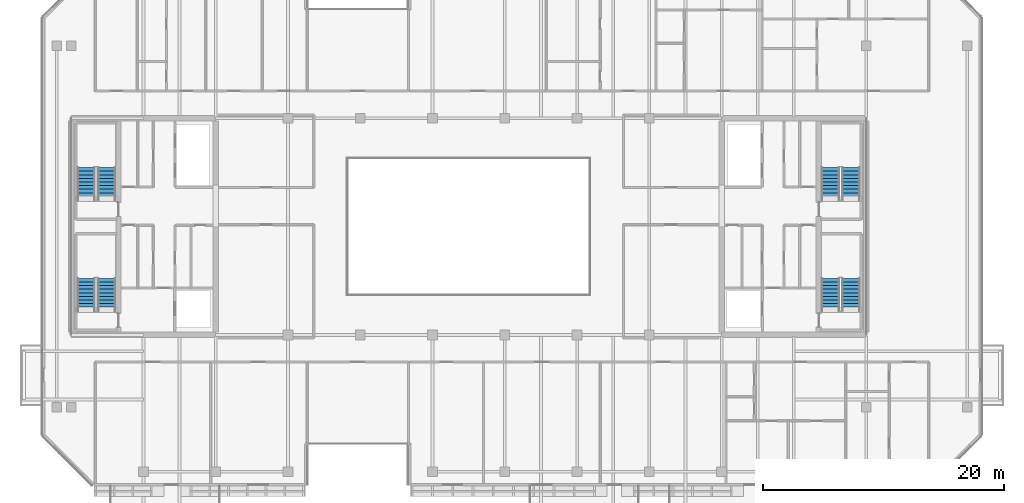
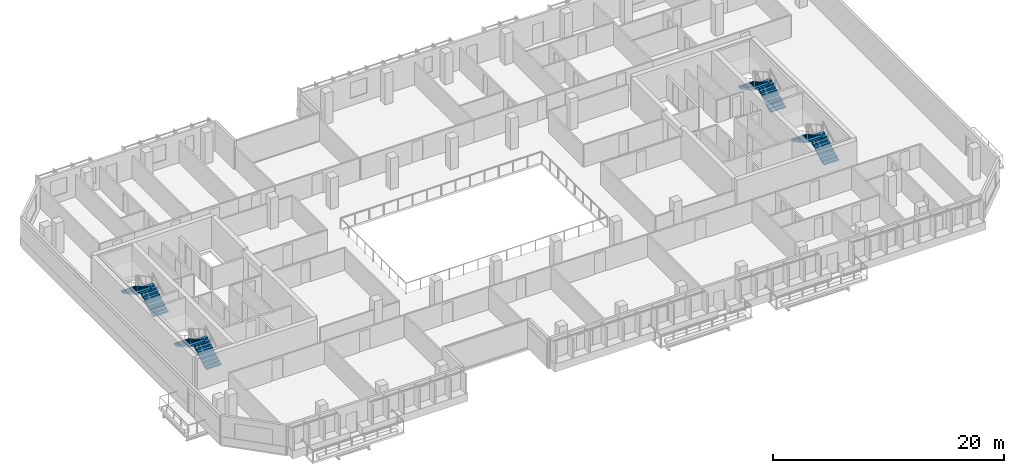
# One storey, part 16 of 22: 8 stair flights, 4 elements without a shape of their own.
"""IFC4 building model written with IfcOpenShell, lengths in metres."""

from ifc_helpers import new_model, si_unit, direction, frame, origin, place, context, subcontext, project, spatial, polyline, outline, extrude, material, type_object, element, aggregate, save


model = new_model("IFC4")

# Units and contexts
model_context = context("Model", 3, precision=1e-05, world=origin(), true_north=direction((0.0, 1.0)))
body_context = subcontext(model_context, "Body", "Model", "MODEL_VIEW")
ifc_project = project(units=[si_unit("LENGTHUNIT", "METRE"), si_unit("AREAUNIT", "SQUARE_METRE"), si_unit("VOLUMEUNIT", "CUBIC_METRE"), si_unit("PLANEANGLEUNIT", "RADIAN"), si_unit("MASSUNIT", "GRAM", prefix="KILO")], contexts=[model_context])

# Site, building, storey
site_placement = place(None, origin())
site = spatial("IfcSite", under=ifc_project, at=site_placement, CompositionType="ELEMENT")
building_placement = place(site_placement, origin())
building = spatial("IfcBuilding", under=site, at=building_placement, Name="Tanjung Sevakor Pilgrim Tower", CompositionType="ELEMENT")
storey_placement = place(building_placement, frame((0.0, 0.0, 195.030029296875)))
storey = spatial("IfcBuildingStorey", under=building, at=storey_placement, Name="L54", CompositionType="ELEMENT", Elevation=195.030029296875)

# Stair, stair flights
ifc_material_1 = material(Name="Concrete C40/50", Category="concrete")
stair_type = type_object("IfcStairType", Name="STAIR-ST-CR150", PredefinedType="HALF_TURN_STAIR", material=ifc_material_1)
stair_1_placement = place(storey_placement, origin())
stair_1 = element("IfcStair", 1, at=stair_1_placement, inside=storey, type_object=stair_type, Name="L54 West Core Exit Stair 1", PredefinedType="HALF_TURN_STAIR")
ifc_material_2 = material(Name="Concrete C40/50", Category="concrete")
stair_flight_type = type_object("IfcStairFlightType", Name="FLIGHT-ST-CR150", PredefinedType="STRAIGHT", material=ifc_material_2)
stair_flight_1_placement = place(storey_placement, frame((26.949951171875, 26.60009765625, 0.0), z_axis=(0.0, 0.0, 1.0), x_axis=(0.0, 1.0, 0.0)))
stair_flight_1 = element("IfcStairFlight", 2, at=stair_flight_1_placement, type_object=stair_flight_type, Name="TS-W1 flight 1", NumberOfRisers=10, NumberOfTreads=9, PredefinedType="STRAIGHT", RiserHeight=0.165, TreadLength=0.3, context=body_context, shape_type="SweptSolid", body=[
    extrude(outline(polyline([(0.0, 0.0), (0.0, 0.1650390625), (0.300048828125, 0.1650390625), (0.300048828125, 0.330078125), (0.60009765625, 0.330078125), (0.60009765625, 0.4951171875), (0.89990234375, 0.4951171875), (0.89990234375, 0.659912109375), (1.199951171875, 0.659912109375), (1.199951171875, 0.824951171875), (1.5, 0.824951171875), (1.5, 0.989990234375), (1.800048828125, 0.989990234375), (1.800048828125, 1.155029296875), (2.10009765625, 1.155029296875), (2.10009765625, 1.320068359375), (2.39990234375, 1.320068359375), (2.39990234375, 1.485107421875), (2.699951171875, 1.485107421875), (2.699951171875, 1.64990234375), (2.699951171875, 1.302490234375), (0.331787109375, 0.0), (0.0, 0.0)])), frame((0.0, 0.75, 0.0), z_axis=(0.0, -1.0, 0.0), x_axis=(1.0, 0.0, 0.0)), (0.0, 0.0, 1.0), 1.5),
])
stair_flight_2_placement = place(storey_placement, frame((25.25, 29.300048828125, 1.64990234375), z_axis=(0.0, 0.0, 1.0), x_axis=(0.0, -1.0, 0.0)))
stair_flight_2 = element("IfcStairFlight", 3, at=stair_flight_2_placement, type_object=stair_flight_type, Name="TS-W1 flight 2", NumberOfRisers=10, NumberOfTreads=9, PredefinedType="STRAIGHT", RiserHeight=0.165, TreadLength=0.3, context=body_context, shape_type="SweptSolid", body=[
    extrude(outline(polyline([(0.0, 0.0), (0.0, 0.1650390625), (0.300048828125, 0.1650390625), (0.300048828125, 0.330078125), (0.60009765625, 0.330078125), (0.60009765625, 0.4951171875), (0.89990234375, 0.4951171875), (0.89990234375, 0.659912109375), (1.199951171875, 0.659912109375), (1.199951171875, 0.824951171875), (1.5, 0.824951171875), (1.5, 0.989990234375), (1.800048828125, 0.989990234375), (1.800048828125, 1.155029296875), (2.10009765625, 1.155029296875), (2.10009765625, 1.320068359375), (2.39990234375, 1.320068359375), (2.39990234375, 1.485107421875), (2.699951171875, 1.485107421875), (2.699951171875, 1.64990234375), (2.699951171875, 1.302490234375), (0.331787109375, 0.0), (0.0, 0.0)])), frame((0.0, 0.75, 0.0), z_axis=(0.0, -1.0, 0.0), x_axis=(1.0, 0.0, 0.0)), (0.0, 0.0, 1.0), 1.5),
])
aggregate(stair_1, [stair_flight_1, stair_flight_2])

stair_2_placement = place(storey_placement, origin())
stair_2 = element("IfcStair", 4, at=stair_2_placement, inside=storey, type_object=stair_type, Name="L54 West Core Exit Stair 2", PredefinedType="HALF_TURN_STAIR")
stair_flight_3_placement = place(storey_placement, frame((26.949951171875, 35.800048828125, 0.0), z_axis=(0.0, 0.0, 1.0), x_axis=(0.0, 1.0, 0.0)))
stair_flight_3 = element("IfcStairFlight", 5, at=stair_flight_3_placement, type_object=stair_flight_type, Name="TS-W2 flight 1", NumberOfRisers=10, NumberOfTreads=9, PredefinedType="STRAIGHT", RiserHeight=0.165, TreadLength=0.3, context=body_context, shape_type="SweptSolid", body=[
    extrude(outline(polyline([(0.0, 0.0), (0.0, 0.1650390625), (0.300048828125, 0.1650390625), (0.300048828125, 0.330078125), (0.60009765625, 0.330078125), (0.60009765625, 0.4951171875), (0.89990234375, 0.4951171875), (0.89990234375, 0.659912109375), (1.199951171875, 0.659912109375), (1.199951171875, 0.824951171875), (1.5, 0.824951171875), (1.5, 0.989990234375), (1.800048828125, 0.989990234375), (1.800048828125, 1.155029296875), (2.10009765625, 1.155029296875), (2.10009765625, 1.320068359375), (2.39990234375, 1.320068359375), (2.39990234375, 1.485107421875), (2.699951171875, 1.485107421875), (2.699951171875, 1.64990234375), (2.699951171875, 1.302490234375), (0.331787109375, 0.0), (0.0, 0.0)])), frame((0.0, 0.75, 0.0), z_axis=(0.0, -1.0, 0.0), x_axis=(1.0, 0.0, 0.0)), (0.0, 0.0, 1.0), 1.5),
])
stair_flight_4_placement = place(storey_placement, frame((25.25, 38.5, 1.64990234375), z_axis=(0.0, 0.0, 1.0), x_axis=(0.0, -1.0, 0.0)))
stair_flight_4 = element("IfcStairFlight", 6, at=stair_flight_4_placement, type_object=stair_flight_type, Name="TS-W2 flight 2", NumberOfRisers=10, NumberOfTreads=9, PredefinedType="STRAIGHT", RiserHeight=0.165, TreadLength=0.3, context=body_context, shape_type="SweptSolid", body=[
    extrude(outline(polyline([(0.0, 0.0), (0.0, 0.1650390625), (0.300048828125, 0.1650390625), (0.300048828125, 0.330078125), (0.60009765625, 0.330078125), (0.60009765625, 0.4951171875), (0.89990234375, 0.4951171875), (0.89990234375, 0.659912109375), (1.199951171875, 0.659912109375), (1.199951171875, 0.824951171875), (1.5, 0.824951171875), (1.5, 0.989990234375), (1.800048828125, 0.989990234375), (1.800048828125, 1.155029296875), (2.10009765625, 1.155029296875), (2.10009765625, 1.320068359375), (2.39990234375, 1.320068359375), (2.39990234375, 1.485107421875), (2.699951171875, 1.485107421875), (2.699951171875, 1.64990234375), (2.699951171875, 1.302490234375), (0.331787109375, 0.0), (0.0, 0.0)])), frame((0.0, 0.75, 0.0), z_axis=(0.0, -1.0, 0.0), x_axis=(1.0, 0.0, 0.0)), (0.0, 0.0, 1.0), 1.5),
])
aggregate(stair_2, [stair_flight_3, stair_flight_4])

stair_3_placement = place(storey_placement, origin())
stair_3 = element("IfcStair", 7, at=stair_3_placement, inside=storey, type_object=stair_type, Name="L54 East Core Exit Stair 1", PredefinedType="HALF_TURN_STAIR")
stair_flight_5_placement = place(storey_placement, frame((88.75, 26.60009765625, 0.0), z_axis=(0.0, 0.0, 1.0), x_axis=(0.0, 1.0, 0.0)))
stair_flight_5 = element("IfcStairFlight", 8, at=stair_flight_5_placement, type_object=stair_flight_type, Name="TS-E1 flight 1", NumberOfRisers=10, NumberOfTreads=9, PredefinedType="STRAIGHT", RiserHeight=0.165, TreadLength=0.3, context=body_context, shape_type="SweptSolid", body=[
    extrude(outline(polyline([(0.0, 0.0), (0.0, 0.1650390625), (0.300048828125, 0.1650390625), (0.300048828125, 0.330078125), (0.60009765625, 0.330078125), (0.60009765625, 0.4951171875), (0.89990234375, 0.4951171875), (0.89990234375, 0.659912109375), (1.199951171875, 0.659912109375), (1.199951171875, 0.824951171875), (1.5, 0.824951171875), (1.5, 0.989990234375), (1.800048828125, 0.989990234375), (1.800048828125, 1.155029296875), (2.10009765625, 1.155029296875), (2.10009765625, 1.320068359375), (2.39990234375, 1.320068359375), (2.39990234375, 1.485107421875), (2.699951171875, 1.485107421875), (2.699951171875, 1.64990234375), (2.699951171875, 1.302490234375), (0.331787109375, 0.0), (0.0, 0.0)])), frame((0.0, 0.75, 0.0), z_axis=(0.0, -1.0, 0.0), x_axis=(1.0, 0.0, 0.0)), (0.0, 0.0, 1.0), 1.5),
])
stair_flight_6_placement = place(storey_placement, frame((87.050048828125, 29.300048828125, 1.64990234375), z_axis=(0.0, 0.0, 1.0), x_axis=(0.0, -1.0, 0.0)))
stair_flight_6 = element("IfcStairFlight", 9, at=stair_flight_6_placement, type_object=stair_flight_type, Name="TS-E1 flight 2", NumberOfRisers=10, NumberOfTreads=9, PredefinedType="STRAIGHT", RiserHeight=0.165, TreadLength=0.3, context=body_context, shape_type="SweptSolid", body=[
    extrude(outline(polyline([(0.0, 0.0), (0.0, 0.1650390625), (0.300048828125, 0.1650390625), (0.300048828125, 0.330078125), (0.60009765625, 0.330078125), (0.60009765625, 0.4951171875), (0.89990234375, 0.4951171875), (0.89990234375, 0.659912109375), (1.199951171875, 0.659912109375), (1.199951171875, 0.824951171875), (1.5, 0.824951171875), (1.5, 0.989990234375), (1.800048828125, 0.989990234375), (1.800048828125, 1.155029296875), (2.10009765625, 1.155029296875), (2.10009765625, 1.320068359375), (2.39990234375, 1.320068359375), (2.39990234375, 1.485107421875), (2.699951171875, 1.485107421875), (2.699951171875, 1.64990234375), (2.699951171875, 1.302490234375), (0.331787109375, 0.0), (0.0, 0.0)])), frame((0.0, 0.75, 0.0), z_axis=(0.0, -1.0, 0.0), x_axis=(1.0, 0.0, 0.0)), (0.0, 0.0, 1.0), 1.5),
])
aggregate(stair_3, [stair_flight_5, stair_flight_6])

stair_4_placement = place(storey_placement, origin())
stair_4 = element("IfcStair", 10, at=stair_4_placement, inside=storey, type_object=stair_type, Name="L54 East Core Exit Stair 2", PredefinedType="HALF_TURN_STAIR")
stair_flight_7_placement = place(storey_placement, frame((88.75, 35.800048828125, 0.0), z_axis=(0.0, 0.0, 1.0), x_axis=(0.0, 1.0, 0.0)))
stair_flight_7 = element("IfcStairFlight", 11, at=stair_flight_7_placement, type_object=stair_flight_type, Name="TS-E2 flight 1", NumberOfRisers=10, NumberOfTreads=9, PredefinedType="STRAIGHT", RiserHeight=0.165, TreadLength=0.3, context=body_context, shape_type="SweptSolid", body=[
    extrude(outline(polyline([(0.0, 0.0), (0.0, 0.1650390625), (0.300048828125, 0.1650390625), (0.300048828125, 0.330078125), (0.60009765625, 0.330078125), (0.60009765625, 0.4951171875), (0.89990234375, 0.4951171875), (0.89990234375, 0.659912109375), (1.199951171875, 0.659912109375), (1.199951171875, 0.824951171875), (1.5, 0.824951171875), (1.5, 0.989990234375), (1.800048828125, 0.989990234375), (1.800048828125, 1.155029296875), (2.10009765625, 1.155029296875), (2.10009765625, 1.320068359375), (2.39990234375, 1.320068359375), (2.39990234375, 1.485107421875), (2.699951171875, 1.485107421875), (2.699951171875, 1.64990234375), (2.699951171875, 1.302490234375), (0.331787109375, 0.0), (0.0, 0.0)])), frame((0.0, 0.75, 0.0), z_axis=(0.0, -1.0, 0.0), x_axis=(1.0, 0.0, 0.0)), (0.0, 0.0, 1.0), 1.5),
])
stair_flight_8_placement = place(storey_placement, frame((87.050048828125, 38.5, 1.64990234375), z_axis=(0.0, 0.0, 1.0), x_axis=(0.0, -1.0, 0.0)))
stair_flight_8 = element("IfcStairFlight", 12, at=stair_flight_8_placement, type_object=stair_flight_type, Name="TS-E2 flight 2", NumberOfRisers=10, NumberOfTreads=9, PredefinedType="STRAIGHT", RiserHeight=0.165, TreadLength=0.3, context=body_context, shape_type="SweptSolid", body=[
    extrude(outline(polyline([(0.0, 0.0), (0.0, 0.1650390625), (0.300048828125, 0.1650390625), (0.300048828125, 0.330078125), (0.60009765625, 0.330078125), (0.60009765625, 0.4951171875), (0.89990234375, 0.4951171875), (0.89990234375, 0.659912109375), (1.199951171875, 0.659912109375), (1.199951171875, 0.824951171875), (1.5, 0.824951171875), (1.5, 0.989990234375), (1.800048828125, 0.989990234375), (1.800048828125, 1.155029296875), (2.10009765625, 1.155029296875), (2.10009765625, 1.320068359375), (2.39990234375, 1.320068359375), (2.39990234375, 1.485107421875), (2.699951171875, 1.485107421875), (2.699951171875, 1.64990234375), (2.699951171875, 1.302490234375), (0.331787109375, 0.0), (0.0, 0.0)])), frame((0.0, 0.75, 0.0), z_axis=(0.0, -1.0, 0.0), x_axis=(1.0, 0.0, 0.0)), (0.0, 0.0, 1.0), 1.5),
])
aggregate(stair_4, [stair_flight_7, stair_flight_8])

save(model, "model.ifc")
